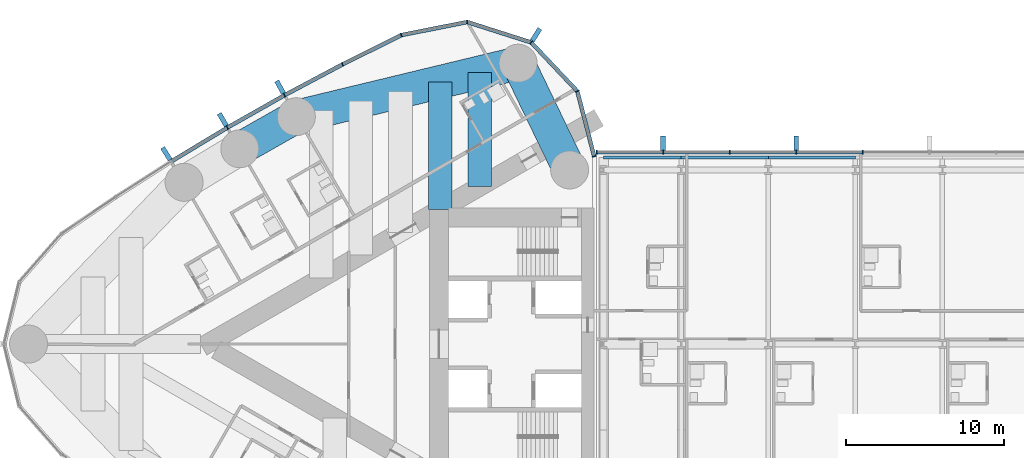
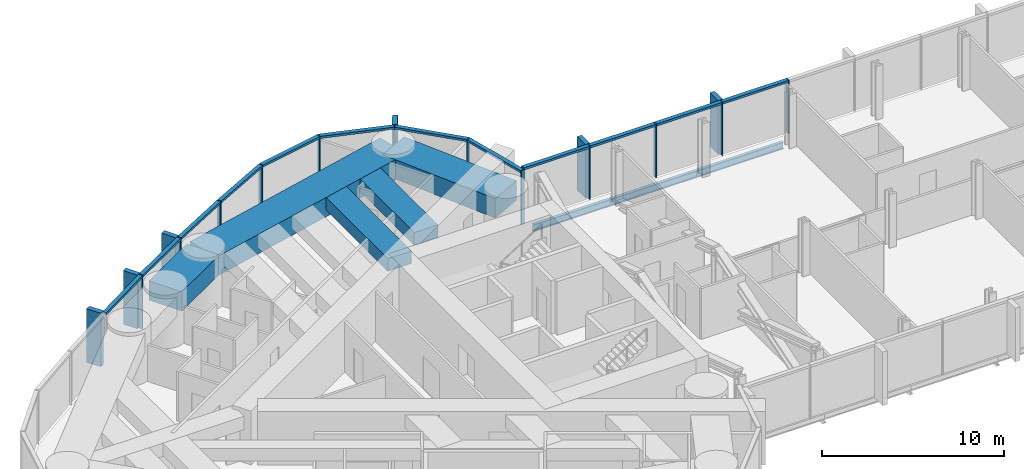
# One storey, part 6 of 24: 31 members, 8 beams, 2 elements without a shape of their own.
"""IFC4 building model written with IfcOpenShell, lengths in metres."""

from ifc_helpers import new_model, si_unit, direction, frame, origin, origin_2d, place, context, subcontext, project, spatial, rectangle, i_section, extrude, material, material_profile, profile_set, type_object, element, aggregate, save


model = new_model("IFC4")

# Units and contexts
model_context = context("Model", 3, precision=1e-05, world=origin(), true_north=direction((0.0, 1.0)))
body_context = subcontext(model_context, "Body", "Model", "MODEL_VIEW")
ifc_project = project(units=[si_unit("LENGTHUNIT", "METRE"), si_unit("AREAUNIT", "SQUARE_METRE"), si_unit("VOLUMEUNIT", "CUBIC_METRE"), si_unit("PLANEANGLEUNIT", "RADIAN"), si_unit("MASSUNIT", "GRAM", prefix="KILO")], contexts=[model_context])

# Site, building, storey
site_placement = place(None, origin())
site = spatial("IfcSite", under=ifc_project, at=site_placement, CompositionType="ELEMENT")
building_placement = place(site_placement, origin())
building = spatial("IfcBuilding", under=site, at=building_placement, Name="Lancet Gate Hotel", CompositionType="ELEMENT")
storey_placement = place(building_placement, frame((0.0, 0.0, 236.89990234375)))
storey = spatial("IfcBuildingStorey", under=building, at=storey_placement, Name="L63", CompositionType="ELEMENT", Elevation=236.89990234375)

# Curtain wall, members
ifc_material_1 = material(Name="Aluminium curtain wall", Category="aluminium")
curtain_wall_type_1 = type_object("IfcCurtainWallType", Name="Tower unitised curtain wall", PredefinedType="USERDEFINED", material=ifc_material_1)
curtain_wall_1_placement = place(storey_placement, origin())
curtain_wall_1 = element("IfcCurtainWall", 1, at=curtain_wall_1_placement, inside=storey, type_object=curtain_wall_type_1, Name="T1 L63 curtain wall 1", ObjectType="UNITISED CURTAIN WALL", PredefinedType="USERDEFINED")
ifc_material_2 = material(Name="Aluminium mullion", Category="aluminium")
ifc_material_profile_1 = material_profile(ifc_material_2, rectangle(XDim=0.06494140625, YDim=0.25, at=origin_2d()), Name="MULLION 65x250")
ifc_profile_set_1 = profile_set([ifc_material_profile_1], Name="Aluminium mullion")
member_type_1 = type_object("IfcMemberType", Name="Aluminium mullion 65x250", PredefinedType="MULLION", material=ifc_profile_set_1)
member_1_placement = place(storey_placement, frame((-27.5, 11.861572265625, 0.0), z_axis=(0.0, 0.0, 1.0), x_axis=(-0.249725827997, 0.968316586056, 0.0)))
member_1 = element("IfcMember", 2, at=member_1_placement, type_object=member_type_1, Name="T1 L63 curtain wall 1 mullion 1", PredefinedType="MULLION", context=body_context, shape_type="SweptSolid", body=[
    extrude(rectangle(XDim=0.06494140625, YDim=0.25, at=origin_2d()), origin(), (0.0, 0.0, 1.0), 3.60009765625),
])
member_2_placement = place(storey_placement, frame((-28.56005859375, 15.97216796875, 0.0), z_axis=(0.0, 0.0, 1.0), x_axis=(-0.483627322447, 0.875274021654, 0.0)))
member_2 = element("IfcMember", 3, at=member_2_placement, type_object=member_type_1, Name="T1 L63 curtain wall 1 mullion 2", PredefinedType="MULLION", context=body_context, shape_type="SweptSolid", body=[
    extrude(rectangle(XDim=0.06494140625, YDim=0.25, at=origin_2d()), origin(), (0.0, 0.0, 1.0), 3.60009765625),
])
member_3_placement = place(storey_placement, frame((-31.476318359375, 19.0576171875, 0.0), z_axis=(0.0, 0.0, 1.0), x_axis=(-0.846612863, 0.532209225966, 0.0)))
member_3 = element("IfcMember", 4, at=member_3_placement, type_object=member_type_1, Name="T1 L63 curtain wall 1 mullion 3", PredefinedType="MULLION", context=body_context, shape_type="SweptSolid", body=[
    extrude(rectangle(XDim=0.06494140625, YDim=0.25, at=origin_2d()), origin(), (0.0, 0.0, 1.0), 3.60009765625),
])
member_4_placement = place(storey_placement, frame((-35.520751953125, 20.347900390625, 0.0), z_axis=(0.0, 0.0, 1.0), x_axis=(-0.998409168318, 0.056383797491, 0.0)))
member_4 = element("IfcMember", 5, at=member_4_placement, type_object=member_type_1, Name="T1 L63 curtain wall 1 mullion 4", PredefinedType="MULLION", context=body_context, shape_type="SweptSolid", body=[
    extrude(rectangle(XDim=0.06494140625, YDim=0.25, at=origin_2d()), origin(), (0.0, 0.0, 1.0), 3.60009765625),
])
member_5_placement = place(storey_placement, frame((-39.684814453125, 19.521240234375, 0.0), z_axis=(0.0, 0.0, 1.0), x_axis=(-0.946887706423, -0.321564412561, 0.0)))
member_5 = element("IfcMember", 6, at=member_5_placement, type_object=member_type_1, Name="T1 L63 curtain wall 1 mullion 5", PredefinedType="MULLION", context=body_context, shape_type="SweptSolid", body=[
    extrude(rectangle(XDim=0.06494140625, YDim=0.25, at=origin_2d()), origin(), (0.0, 0.0, 1.0), 3.60009765625),
])
member_6_placement = place(storey_placement, frame((-43.3994140625, 17.67236328125, 0.0), z_axis=(0.0, 0.0, 1.0), x_axis=(-0.889155526065, -0.457605125046, 0.0)))
member_6 = element("IfcMember", 7, at=member_6_placement, type_object=member_type_1, Name="T1 L63 curtain wall 1 mullion 6", PredefinedType="MULLION", context=body_context, shape_type="SweptSolid", body=[
    extrude(rectangle(XDim=0.06494140625, YDim=0.25, at=origin_2d()), origin(), (0.0, 0.0, 1.0), 3.60009765625),
])
member_7_placement = place(storey_placement, frame((-47.062744140625, 15.72412109375, 0.0), z_axis=(0.0, 0.0, 1.0), x_axis=(-0.876516407283, -0.481371984815, 0.0)))
member_7 = element("IfcMember", 8, at=member_7_placement, type_object=member_type_1, Name="T1 L63 curtain wall 1 mullion 7", PredefinedType="MULLION", context=body_context, shape_type="SweptSolid", body=[
    extrude(rectangle(XDim=0.06494140625, YDim=0.25, at=origin_2d()), origin(), (0.0, 0.0, 1.0), 3.60009765625),
])
member_8_placement = place(storey_placement, frame((-50.67236328125, 13.677978515625, 0.0), z_axis=(0.0, 0.0, 1.0), x_axis=(-0.863242155108, -0.504790037189, 0.0)))
member_8 = element("IfcMember", 9, at=member_8_placement, type_object=member_type_1, Name="T1 L63 curtain wall 1 mullion 8", PredefinedType="MULLION", context=body_context, shape_type="SweptSolid", body=[
    extrude(rectangle(XDim=0.06494140625, YDim=0.25, at=origin_2d()), origin(), (0.0, 0.0, 1.0), 3.60009765625),
])

ifc_material_3 = material(Name="Aluminium curtain wall", Category="aluminium")
curtain_wall_type_2 = type_object("IfcCurtainWallType", Name="Bridge block curtain wall", PredefinedType="USERDEFINED", material=ifc_material_3)
curtain_wall_2_placement = place(storey_placement, origin())
curtain_wall_2 = element("IfcCurtainWall", 10, at=curtain_wall_2_placement, inside=storey, type_object=curtain_wall_type_2, Name="Bridge block L63 curtain wall N", ObjectType="UNITISED CURTAIN WALL", PredefinedType="USERDEFINED")
member_9_placement = place(storey_placement, frame((-10.519287109375, 12.1201171875, 0.0), z_axis=(0.0, 0.0, 1.0), x_axis=(-1.0, 0.0, 0.0)))
member_9 = element("IfcMember", 11, at=member_9_placement, type_object=member_type_1, Name="Bridge block L63 curtain wall N mullion 10", PredefinedType="MULLION", context=body_context, shape_type="SweptSolid", body=[
    extrude(rectangle(XDim=0.06494140625, YDim=0.25, at=origin_2d()), origin(), (0.0, 0.0, 1.0), 3.60009765625),
])
member_10_placement = place(storey_placement, frame((-14.726806640625, 12.1201171875, 0.0), z_axis=(0.0, 0.0, 1.0), x_axis=(-1.0, 0.0, 0.0)))
member_10 = element("IfcMember", 12, at=member_10_placement, type_object=member_type_1, Name="Bridge block L63 curtain wall N mullion 11", PredefinedType="MULLION", context=body_context, shape_type="SweptSolid", body=[
    extrude(rectangle(XDim=0.06494140625, YDim=0.25, at=origin_2d()), origin(), (0.0, 0.0, 1.0), 3.60009765625),
])
member_11_placement = place(storey_placement, frame((-18.9345703125, 12.1201171875, 0.0), z_axis=(0.0, 0.0, 1.0), x_axis=(-1.0, 0.0, 0.0)))
member_11 = element("IfcMember", 13, at=member_11_placement, type_object=member_type_1, Name="Bridge block L63 curtain wall N mullion 12", PredefinedType="MULLION", context=body_context, shape_type="SweptSolid", body=[
    extrude(rectangle(XDim=0.06494140625, YDim=0.25, at=origin_2d()), origin(), (0.0, 0.0, 1.0), 3.60009765625),
])
member_12_placement = place(storey_placement, frame((-23.142333984375, 12.1201171875, 0.0), z_axis=(0.0, 0.0, 1.0), x_axis=(-1.0, 0.0, 0.0)))
member_12 = element("IfcMember", 14, at=member_12_placement, type_object=member_type_1, Name="Bridge block L63 curtain wall N mullion 13", PredefinedType="MULLION", context=body_context, shape_type="SweptSolid", body=[
    extrude(rectangle(XDim=0.06494140625, YDim=0.25, at=origin_2d()), origin(), (0.0, 0.0, 1.0), 3.60009765625),
])
member_13_placement = place(storey_placement, frame((-27.35009765625, 12.1201171875, 0.0), z_axis=(0.0, 0.0, 1.0), x_axis=(-1.0, 0.0, 0.0)))
member_13 = element("IfcMember", 15, at=member_13_placement, type_object=member_type_1, Name="Bridge block L63 curtain wall N mullion 14", PredefinedType="MULLION", context=body_context, shape_type="SweptSolid", body=[
    extrude(rectangle(XDim=0.06494140625, YDim=0.25, at=origin_2d()), origin(), (0.0, 0.0, 1.0), 3.60009765625),
])

# Member
ifc_material_4 = material(Name="Aluminium transom", Category="aluminium")
ifc_material_profile_2 = material_profile(ifc_material_4, rectangle(XDim=0.25, YDim=0.14990234375, at=origin_2d()), Name="TRANSOM 250x150")
ifc_profile_set_2 = profile_set([ifc_material_profile_2], Name="Aluminium transom")
member_type_2 = type_object("IfcMemberType", Name="Aluminium transom 250x150", PredefinedType="USERDEFINED", material=ifc_profile_set_2)
member_14_placement = place(storey_placement, frame((-27.508056640625, 11.892822265625, 3.525146484375), z_axis=(-0.249715522936, 0.968319243641, 0.0), x_axis=(-0.968319243641, -0.249715522936, 0.0)))
member_14 = element("IfcMember", 16, at=member_14_placement, type_object=member_type_2, Name="T1 L63 curtain wall 1 transom 1", ObjectType="TRANSOM", PredefinedType="USERDEFINED", context=body_context, shape_type="SweptSolid", body=[
    extrude(rectangle(XDim=0.25, YDim=0.14990234375, at=origin_2d()), origin(), (0.0, 0.0, 1.0), 4.180419921875),
])

member_15_placement = place(storey_placement, frame((-28.58251953125, 15.995849609375, 3.525146484375), z_axis=(-0.686880731091, 0.726770157103, 0.0), x_axis=(-0.726770157103, -0.686880731091, 0.0)))
member_15 = element("IfcMember", 17, at=member_15_placement, type_object=member_type_2, Name="T1 L63 curtain wall 1 transom 2", ObjectType="TRANSOM", PredefinedType="USERDEFINED", context=body_context, shape_type="SweptSolid", body=[
    extrude(rectangle(XDim=0.25, YDim=0.14990234375, at=origin_2d()), origin(), (0.0, 0.0, 1.0), 4.18017578125),
])

member_16_placement = place(storey_placement, frame((-31.507080078125, 19.067626953125, 3.525146484375), z_axis=(-0.952697713775, 0.303919506068, 0.0), x_axis=(-0.303919506068, -0.952697713775, 0.0)))
member_16 = element("IfcMember", 18, at=member_16_placement, type_object=member_type_2, Name="T1 L63 curtain wall 1 transom 3", ObjectType="TRANSOM", PredefinedType="USERDEFINED", context=body_context, shape_type="SweptSolid", body=[
    extrude(rectangle(XDim=0.25, YDim=0.14990234375, at=origin_2d()), origin(), (0.0, 0.0, 1.0), 4.180419921875),
])

member_17_placement = place(storey_placement, frame((-35.552734375, 20.341552734375, 3.525146484375), z_axis=(-0.980858234867, -0.194723196085, 0.0), x_axis=(0.194723196085, -0.980858234867, 0.0)))
member_17 = element("IfcMember", 19, at=member_17_placement, type_object=member_type_2, Name="T1 L63 curtain wall 1 transom 4", ObjectType="TRANSOM", PredefinedType="USERDEFINED", context=body_context, shape_type="SweptSolid", body=[
    extrude(rectangle(XDim=0.25, YDim=0.14990234375, at=origin_2d()), origin(), (0.0, 0.0, 1.0), 4.18017578125),
])

member_18_placement = place(storey_placement, frame((-39.7138671875, 19.5068359375, 3.525146484375), z_axis=(-0.895226720479, -0.445610950202, 0.0), x_axis=(0.445610950202, -0.895226720479, 0.0)))
member_18 = element("IfcMember", 20, at=member_18_placement, type_object=member_type_2, Name="T1 L63 curtain wall 1 transom 5", ObjectType="TRANSOM", PredefinedType="USERDEFINED", context=body_context, shape_type="SweptSolid", body=[
    extrude(rectangle(XDim=0.25, YDim=0.14990234375, at=origin_2d()), origin(), (0.0, 0.0, 1.0), 4.08447265625),
])

member_19_placement = place(storey_placement, frame((-43.427978515625, 17.656982421875, 3.525146484375), z_axis=(-0.882944619844, -0.469477154171, 0.0), x_axis=(0.469477154171, -0.882944619844, 0.0)))
member_19 = element("IfcMember", 21, at=member_19_placement, type_object=member_type_2, Name="T1 L63 curtain wall 1 transom 6", ObjectType="TRANSOM", PredefinedType="USERDEFINED", context=body_context, shape_type="SweptSolid", body=[
    extrude(rectangle(XDim=0.25, YDim=0.14990234375, at=origin_2d()), origin(), (0.0, 0.0, 1.0), 4.084228515625),
])

member_20_placement = place(storey_placement, frame((-47.091064453125, 15.7080078125, 3.525146484375), z_axis=(-0.869977740049, -0.493090997503, 0.0), x_axis=(0.493090997503, -0.869977740049, 0.0)))
member_20 = element("IfcMember", 22, at=member_20_placement, type_object=member_type_2, Name="T1 L63 curtain wall 1 transom 7", ObjectType="TRANSOM", PredefinedType="USERDEFINED", context=body_context, shape_type="SweptSolid", body=[
    extrude(rectangle(XDim=0.25, YDim=0.14990234375, at=origin_2d()), origin(), (0.0, 0.0, 1.0), 4.084228515625),
])

member_21_placement = place(storey_placement, frame((-50.7001953125, 13.661376953125, 3.525146484375), z_axis=(-0.856362214892, -0.516375596737, 0.0), x_axis=(0.516375596737, -0.856362214892, 0.0)))
member_21 = element("IfcMember", 23, at=member_21_placement, type_object=member_type_2, Name="T1 L63 curtain wall 1 transom 8", ObjectType="TRANSOM", PredefinedType="USERDEFINED", context=body_context, shape_type="SweptSolid", body=[
    extrude(rectangle(XDim=0.25, YDim=0.14990234375, at=origin_2d()), origin(), (0.0, 0.0, 1.0), 4.08447265625),
])

member_22_placement = place(storey_placement, frame((-10.5517578125, 12.1201171875, 3.525146484375), z_axis=(-1.0, 0.0, 0.0), x_axis=(0.0, -1.0, 0.0)))
member_22 = element("IfcMember", 24, at=member_22_placement, type_object=member_type_2, Name="Bridge block L63 curtain wall N transom 10", ObjectType="TRANSOM", PredefinedType="USERDEFINED", context=body_context, shape_type="SweptSolid", body=[
    extrude(rectangle(XDim=0.25, YDim=0.14990234375, at=origin_2d()), origin(), (0.0, 0.0, 1.0), 4.142578125),
])

member_23_placement = place(storey_placement, frame((-14.759521484375, 12.1201171875, 3.525146484375), z_axis=(-1.0, 0.0, 0.0), x_axis=(0.0, -1.0, 0.0)))
member_23 = element("IfcMember", 25, at=member_23_placement, type_object=member_type_2, Name="Bridge block L63 curtain wall N transom 11", ObjectType="TRANSOM", PredefinedType="USERDEFINED", context=body_context, shape_type="SweptSolid", body=[
    extrude(rectangle(XDim=0.25, YDim=0.14990234375, at=origin_2d()), origin(), (0.0, 0.0, 1.0), 4.142578125),
])

member_24_placement = place(storey_placement, frame((-18.967041015625, 12.1201171875, 3.525146484375), z_axis=(-1.0, 0.0, 0.0), x_axis=(0.0, -1.0, 0.0)))
member_24 = element("IfcMember", 26, at=member_24_placement, type_object=member_type_2, Name="Bridge block L63 curtain wall N transom 12", ObjectType="TRANSOM", PredefinedType="USERDEFINED", context=body_context, shape_type="SweptSolid", body=[
    extrude(rectangle(XDim=0.25, YDim=0.14990234375, at=origin_2d()), origin(), (0.0, 0.0, 1.0), 4.142822265625),
])

member_25_placement = place(storey_placement, frame((-23.1748046875, 12.1201171875, 3.525146484375), z_axis=(-1.0, 0.0, 0.0), x_axis=(0.0, -1.0, 0.0)))
member_25 = element("IfcMember", 27, at=member_25_placement, type_object=member_type_2, Name="Bridge block L63 curtain wall N transom 13", ObjectType="TRANSOM", PredefinedType="USERDEFINED", context=body_context, shape_type="SweptSolid", body=[
    extrude(rectangle(XDim=0.25, YDim=0.14990234375, at=origin_2d()), origin(), (0.0, 0.0, 1.0), 4.142578125),
])

# Beams
ifc_material_5 = material(Name="Steel S355", Category="steel")
ifc_material_profile_3 = material_profile(ifc_material_5, i_section(OverallWidth=0.19140625, OverallDepth=0.4599609375, WebThickness=0.010009765625, FlangeThickness=0.01611328125, FilletRadius=0.01025390625, at=origin_2d()), Name="UKB 457x191x82")
ifc_profile_set_3 = profile_set([ifc_material_profile_3], Name="Steel S355")
beam_type_1 = type_object("IfcBeamType", Name="Block edge beam UKB 457x191x82", PredefinedType="SPANDREL", material=ifc_profile_set_3)
beam_1_placement = place(storey_placement, frame((-26.89990234375, 11.800048828125, -0.429931640625), z_axis=(1.0, 0.0, 0.0), x_axis=(0.0, 1.0, 0.0)))
element("IfcBeam", 28, at=beam_1_placement, inside=storey, type_object=beam_type_1, Name="Block edge beam N 0-1 L63", PredefinedType="SPANDREL", context=body_context, shape_type="SweptSolid", body=[
    extrude(i_section(OverallWidth=0.19140625, OverallDepth=0.4599609375, WebThickness=0.010009765625, FlangeThickness=0.01611328125, FilletRadius=0.01025390625, at=origin_2d()), origin(), (0.0, 0.0, 1.0), 4.89990234375),
])
for number, where, z_axis, x_axis, name in (
    (29, (-22.0, 11.800048828125, -0.429931640625), (1.0, 0.0, 0.0), (0.0, 1.0, 0.0), "Block edge beam N 1-2 L63"),
    (30, (-16.5, 11.800048828125, -0.429931640625), (1.0, 0.0, 0.0), (0.0, 1.0, 0.0), "Block edge beam N 2-3 L63"),
):
    element("IfcBeam", number, at=place(storey_placement, frame(where, z_axis=z_axis, x_axis=x_axis)), inside=storey, type_object=beam_type_1, Name=name, PredefinedType="SPANDREL", context=body_context, shape_type="SweptSolid", body=[
        extrude(i_section(OverallWidth=0.19140625, OverallDepth=0.4599609375, WebThickness=0.010009765625, FlangeThickness=0.01611328125, FilletRadius=0.01025390625, at=origin_2d()), origin(), (0.0, 0.0, 1.0), 5.5),
    ])
ifc_material_6 = material(Name="Concrete C50/60", Category="concrete")
ifc_material_profile_4 = material_profile(ifc_material_6, rectangle(XDim=2.10009765625, YDim=1.300048828125, at=origin_2d()), Name="RC 2100x1300")
ifc_profile_set_4 = profile_set([ifc_material_profile_4], Name="Concrete C50/60")
beam_type_2 = type_object("IfcBeamType", Name="Edge beam RC 2100x1300", PredefinedType="SPANDREL", material=ifc_profile_set_4)
beam_2_placement = place(storey_placement, frame((-32.301025390625, 17.745361328125, 2.7001953125), z_axis=(-0.972132796948, -0.234430853556, 0.0), x_axis=(0.234430853556, -0.972132796948, 0.0)))
element("IfcBeam", 31, at=beam_2_placement, inside=storey, type_object=beam_type_2, Name="T1 edge beam EB1 L63", PredefinedType="SPANDREL", context=body_context, shape_type="SweptSolid", body=[
    extrude(rectangle(XDim=2.10009765625, YDim=1.300048828125, at=origin_2d()), origin(), (0.0, 0.0, 1.0), 14.41748046875),
])
beam_3_placement = place(storey_placement, frame((-46.316650390625, 14.365478515625, 2.7001953125), z_axis=(-0.869978841992, -0.493089053301, 0.0), x_axis=(0.493089053301, -0.869978841992, 0.0)))
element("IfcBeam", 32, at=beam_3_placement, inside=storey, type_object=beam_type_2, Name="T1 edge beam EB1 L63", PredefinedType="SPANDREL", context=body_context, shape_type="SweptSolid", body=[
    extrude(rectangle(XDim=2.10009765625, YDim=1.300048828125, at=origin_2d()), origin(), (0.0, 0.0, 1.0), 4.107666015625),
])
beam_4_placement = place(storey_placement, frame((-32.301025390625, 17.745361328125, 2.7001953125), z_axis=(0.434163599361, -0.900834040759, 0.0), x_axis=(0.900834040759, 0.434163599361, 0.0)))
element("IfcBeam", 33, at=beam_4_placement, inside=storey, type_object=beam_type_2, Name="T1 edge beam EB1 L63", PredefinedType="SPANDREL", context=body_context, shape_type="SweptSolid", body=[
    extrude(rectangle(XDim=2.10009765625, YDim=1.300048828125, at=origin_2d()), origin(), (0.0, 0.0, 1.0), 7.48779296875),
])

# Member
ifc_material_7 = material(Name="Precast concrete C50/60", Category="concrete")
ifc_material_profile_5 = material_profile(ifc_material_7, rectangle(XDim=0.300048828125, YDim=0.89990234375, at=origin_2d()), Name="FIN 300x900")
ifc_profile_set_5 = profile_set([ifc_material_profile_5], Name="Precast concrete C50/60")
member_type_3 = type_object("IfcMemberType", Name="Exposed concrete fin 300x900", PredefinedType="USERDEFINED", material=ifc_profile_set_5)
member_26_placement = place(storey_placement, frame((-31.170166015625, 19.54443359375, 0.0), z_axis=(0.0, 0.0, 1.0), x_axis=(-0.846612863, 0.532209225966, 0.0)))
member_26 = element("IfcMember", 34, at=member_26_placement, type_object=member_type_3, Name="T1 L63 curtain wall 1 fin 3", ObjectType="FIN", PredefinedType="USERDEFINED", context=body_context, shape_type="SweptSolid", body=[
    extrude(rectangle(XDim=0.300048828125, YDim=0.89990234375, at=origin_2d()), origin(), (0.0, 0.0, 1.0), 3.60009765625),
])

member_27_placement = place(storey_placement, frame((-47.339599609375, 16.22802734375, 0.0), z_axis=(0.0, 0.0, 1.0), x_axis=(-0.876516407283, -0.481371984815, 0.0)))
member_27 = element("IfcMember", 35, at=member_27_placement, type_object=member_type_3, Name="T1 L63 curtain wall 1 fin 7", ObjectType="FIN", PredefinedType="USERDEFINED", context=body_context, shape_type="SweptSolid", body=[
    extrude(rectangle(XDim=0.300048828125, YDim=0.89990234375, at=origin_2d()), origin(), (0.0, 0.0, 1.0), 3.60009765625),
])

member_28_placement = place(storey_placement, frame((-50.962646484375, 14.17431640625, 0.0), z_axis=(0.0, 0.0, 1.0), x_axis=(-0.863242155108, -0.504790037189, 0.0)))
member_28 = element("IfcMember", 36, at=member_28_placement, type_object=member_type_3, Name="T1 L63 curtain wall 1 fin 8", ObjectType="FIN", PredefinedType="USERDEFINED", context=body_context, shape_type="SweptSolid", body=[
    extrude(rectangle(XDim=0.300048828125, YDim=0.89990234375, at=origin_2d()), origin(), (0.0, 0.0, 1.0), 3.60009765625),
])

member_29_placement = place(storey_placement, frame((-54.529296875, 12.02392578125, 0.0), z_axis=(0.0, 0.0, 1.0), x_axis=(-0.849342388216, -0.527842313176, 0.0)))
member_29 = element("IfcMember", 37, at=member_29_placement, type_object=member_type_3, Name="T1 L63 curtain wall 1 fin 9", ObjectType="FIN", PredefinedType="USERDEFINED", context=body_context, shape_type="SweptSolid", body=[
    extrude(rectangle(XDim=0.300048828125, YDim=0.89990234375, at=origin_2d()), origin(), (0.0, 0.0, 1.0), 3.60009765625),
])

aggregate(curtain_wall_1, [member_1, member_2, member_3, member_26, member_4, member_5, member_6, member_7, member_27, member_8, member_28, member_29, member_14, member_15, member_16, member_17, member_18, member_19, member_20, member_21])

member_30_placement = place(storey_placement, frame((-14.726806640625, 12.695068359375, 0.0), z_axis=(0.0, 0.0, 1.0), x_axis=(-1.0, 0.0, 0.0)))
member_30 = element("IfcMember", 38, at=member_30_placement, type_object=member_type_3, Name="Bridge block L63 curtain wall N fin 11", ObjectType="FIN", PredefinedType="USERDEFINED", context=body_context, shape_type="SweptSolid", body=[
    extrude(rectangle(XDim=0.300048828125, YDim=0.89990234375, at=origin_2d()), origin(), (0.0, 0.0, 1.0), 3.60009765625),
])

member_31_placement = place(storey_placement, frame((-23.142333984375, 12.695068359375, 0.0), z_axis=(0.0, 0.0, 1.0), x_axis=(-1.0, 0.0, 0.0)))
member_31 = element("IfcMember", 39, at=member_31_placement, type_object=member_type_3, Name="Bridge block L63 curtain wall N fin 13", ObjectType="FIN", PredefinedType="USERDEFINED", context=body_context, shape_type="SweptSolid", body=[
    extrude(rectangle(XDim=0.300048828125, YDim=0.89990234375, at=origin_2d()), origin(), (0.0, 0.0, 1.0), 3.60009765625),
])

aggregate(curtain_wall_2, [member_9, member_10, member_30, member_11, member_12, member_31, member_13, member_22, member_23, member_24, member_25])

# Beams
ifc_material_8 = material(Name="Concrete C50/60", Category="concrete")
ifc_material_profile_6 = material_profile(ifc_material_8, rectangle(XDim=1.5, YDim=0.85009765625, at=origin_2d()), Name="RC 1500x850")
ifc_profile_set_6 = profile_set([ifc_material_profile_6], Name="Concrete C50/60")
beam_type_3 = type_object("IfcBeamType", Name="Floor beam RC 1500x850", PredefinedType="BEAM", material=ifc_profile_set_6)
beam_5_placement = place(storey_placement, frame((-34.720458984375, 17.161865234375, 2.925048828125), z_axis=(0.0, -1.0, 0.0), x_axis=(1.0, 0.0, 0.0)))
element("IfcBeam", 40, at=beam_5_placement, inside=storey, type_object=beam_type_3, Name="T1 floor beam F02S L63", PredefinedType="BEAM", context=body_context, shape_type="SweptSolid", body=[
    extrude(rectangle(XDim=1.5, YDim=0.85009765625, at=origin_2d()), origin(), (0.0, 0.0, 1.0), 7.203857421875),
])
beam_6_placement = place(storey_placement, frame((-37.227294921875, 16.557373046875, 2.925048828125), z_axis=(0.0, -1.0, 0.0), x_axis=(1.0, 0.0, 0.0)))
element("IfcBeam", 41, at=beam_6_placement, inside=storey, type_object=beam_type_3, Name="T1 floor beam F03S L63", PredefinedType="BEAM", context=body_context, shape_type="SweptSolid", body=[
    extrude(rectangle(XDim=1.5, YDim=0.85009765625, at=origin_2d()), origin(), (0.0, 0.0, 1.0), 8.046630859375),
])

save(model, "model.ifc")
